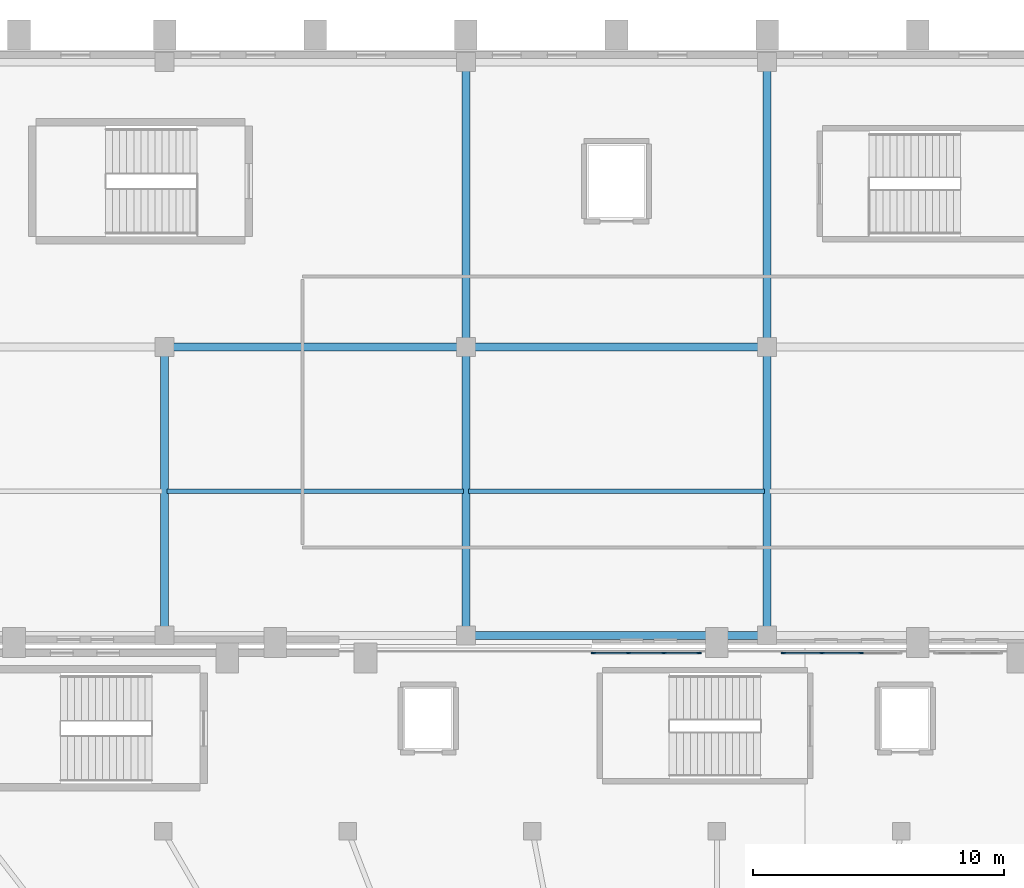
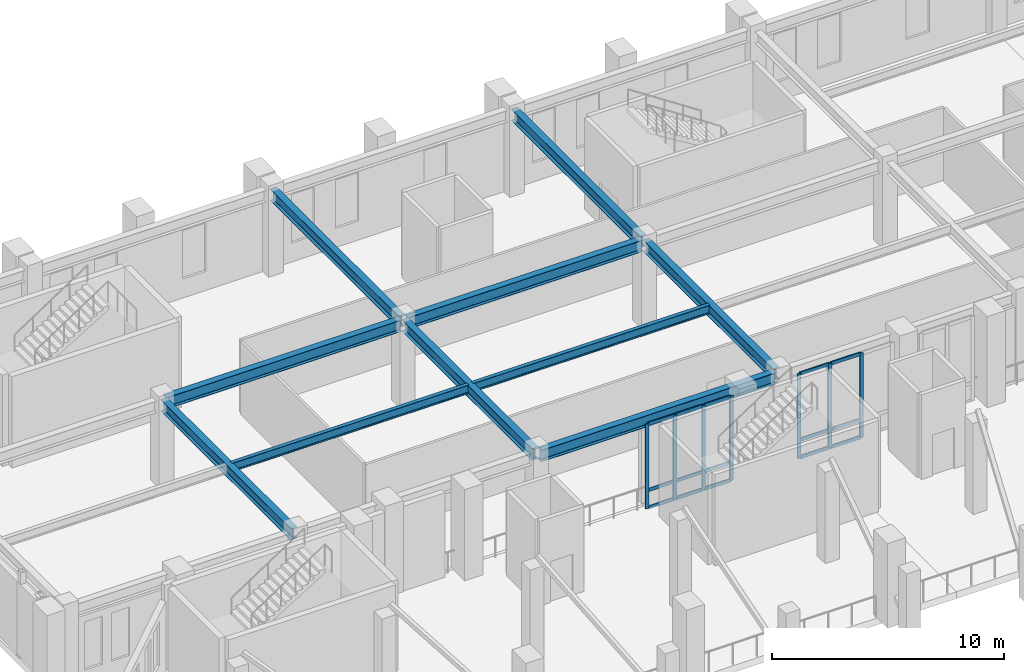
# One storey, part 33 of 126: 22 members, 10 beams, 2 elements without a shape of their own.
"""IFC4 building model written with IfcOpenShell, lengths in metres."""

from ifc_helpers import new_model, si_unit, derived_unit, direction, frame, origin, origin_2d, place, context, subcontext, project, spatial, rectangle, i_section, extrude, material, layer, layer_set, material_profile, profile_set, type_object, element, aggregate, save


model = new_model("IFC4")

# Units and contexts
model_context = context("Model", 3, precision=1e-05, world=origin(), true_north=direction((0.0, 1.0)))
body_context = subcontext(model_context, "Body", "Model", "MODEL_VIEW")
ifc_project = project(units=[si_unit("LENGTHUNIT", "METRE"), si_unit("AREAUNIT", "SQUARE_METRE"), si_unit("VOLUMEUNIT", "CUBIC_METRE"), si_unit("PLANEANGLEUNIT", "RADIAN"), si_unit("MASSUNIT", "GRAM", prefix="KILO"), derived_unit("THERMALTRANSMITTANCEUNIT", [(si_unit("MASSUNIT", "GRAM", prefix="KILO"), 1), (si_unit("TIMEUNIT", "SECOND"), -3), (si_unit("THERMODYNAMICTEMPERATUREUNIT", "KELVIN"), -1)])], contexts=[model_context])

# Site, building, storey
site_placement = place(None, origin())
site = spatial("IfcSite", under=ifc_project, at=site_placement, CompositionType="ELEMENT")
building_placement = place(site_placement, origin())
building = spatial("IfcBuilding", under=site, at=building_placement, Name="Valcora Ridge Arena", CompositionType="ELEMENT")
storey_placement = place(building_placement, frame((0.0, 0.0, 11.39990234375)))
storey = spatial("IfcBuildingStorey", under=building, at=storey_placement, Name="L02", CompositionType="ELEMENT", Elevation=11.39990234375)

# Beams
ifc_material_1 = material(Name="Steel ASTM A572 Grade 50", Category="steel")
ifc_material_profile_1 = material_profile(ifc_material_1, i_section(OverallWidth=0.324951171875, OverallDepth=0.612060546875, WebThickness=0.0126953125, FlangeThickness=0.01904296875, FilletRadius=0.01806640625, at=origin_2d()), Name="W24X104")
ifc_profile_set_1 = profile_set([ifc_material_profile_1], Name="Steel ASTM A572 Grade 50")
beam_type_1 = type_object("IfcBeamType", Name="TY-BEAM-G-W24X104-X", PredefinedType="BEAM", material=ifc_profile_set_1)
for number, where, z_axis, x_axis, name in (
    (1, (48.139892578125, 108.699951171875, 4.14404296875), (1.0, 0.0, 0.0), (0.0, 1.0, 0.0), "G-W24X104-X BEM-G-W24X104-X-0068"),
    (2, (36.139892578125, 120.199951171875, 4.14404296875), (1.0, 0.0, 0.0), (0.0, 1.0, 0.0), "G-W24X104-X BEM-G-W24X104-X-0081"),
    (3, (48.139892578125, 120.199951171875, 4.14404296875), (1.0, 0.0, 0.0), (0.0, 1.0, 0.0), "G-W24X104-X BEM-G-W24X104-X-0082"),
):
    element("IfcBeam", number, at=place(storey_placement, frame(where, z_axis=z_axis, x_axis=x_axis)), inside=storey, type_object=beam_type_1, Name=name, PredefinedType="BEAM", context=body_context, shape_type="SweptSolid", body=[
        extrude(i_section(OverallWidth=0.324951171875, OverallDepth=0.612060546875, WebThickness=0.0126953125, FlangeThickness=0.01904296875, FilletRadius=0.01806640625, at=origin_2d()), origin(), (0.0, 0.0, 1.0), 11.72021484375),
    ])
ifc_material_profile_2 = material_profile(ifc_material_1, i_section(OverallWidth=0.324951171875, OverallDepth=0.612060546875, WebThickness=0.0126953125, FlangeThickness=0.01904296875, FilletRadius=0.01806640625, at=origin_2d()), Name="W24X104")
ifc_profile_set_2 = profile_set([ifc_material_profile_2], Name="Steel ASTM A572 Grade 50")
beam_type_2 = type_object("IfcBeamType", Name="TY-BEAM-G-W24X104-Y", PredefinedType="BEAM", material=ifc_profile_set_2)
for number, where, z_axis, x_axis, name in (
    (4, (36.0, 108.840087890625, 4.14404296875), (0.0, 1.0, 0.0), (-1.0, 0.0, 0.0), "G-W24X104-Y BEM-G-W24X104-Y-0075"),
    (5, (48.0, 108.840087890625, 4.14404296875), (0.0, 1.0, 0.0), (-1.0, 0.0, 0.0), "G-W24X104-Y BEM-G-W24X104-Y-0076"),
):
    element("IfcBeam", number, at=place(storey_placement, frame(where, z_axis=z_axis, x_axis=x_axis)), inside=storey, type_object=beam_type_2, Name=name, PredefinedType="BEAM", context=body_context, shape_type="SweptSolid", body=[
        extrude(i_section(OverallWidth=0.324951171875, OverallDepth=0.612060546875, WebThickness=0.0126953125, FlangeThickness=0.01904296875, FilletRadius=0.01806640625, at=origin_2d()), origin(), (0.0, 0.0, 1.0), 11.219970703125),
    ])
beam_1_placement = place(storey_placement, frame((48.0, 120.340087890625, 4.14404296875), z_axis=(0.0, 1.0, 0.0), x_axis=(-1.0, 0.0, 0.0)))
element("IfcBeam", 6, at=beam_1_placement, inside=storey, type_object=beam_type_2, Name="G-W24X104-Y BEM-G-W24X104-Y-0077", PredefinedType="BEAM", context=body_context, shape_type="SweptSolid", body=[
    extrude(i_section(OverallWidth=0.324951171875, OverallDepth=0.612060546875, WebThickness=0.0126953125, FlangeThickness=0.01904296875, FilletRadius=0.01806640625, at=origin_2d()), origin(), (0.0, 0.0, 1.0), 11.06982421875),
])
beam_2_placement = place(storey_placement, frame((60.0, 108.840087890625, 4.14404296875), z_axis=(0.0, 1.0, 0.0), x_axis=(-1.0, 0.0, 0.0)))
element("IfcBeam", 7, at=beam_2_placement, inside=storey, type_object=beam_type_2, Name="G-W24X104-Y BEM-G-W24X104-Y-0078", PredefinedType="BEAM", context=body_context, shape_type="SweptSolid", body=[
    extrude(i_section(OverallWidth=0.324951171875, OverallDepth=0.612060546875, WebThickness=0.0126953125, FlangeThickness=0.01904296875, FilletRadius=0.01806640625, at=origin_2d()), origin(), (0.0, 0.0, 1.0), 11.219970703125),
])
beam_3_placement = place(storey_placement, frame((60.0, 120.340087890625, 4.14404296875), z_axis=(0.0, 1.0, 0.0), x_axis=(-1.0, 0.0, 0.0)))
element("IfcBeam", 8, at=beam_3_placement, inside=storey, type_object=beam_type_2, Name="G-W24X104-Y BEM-G-W24X104-Y-0079", PredefinedType="BEAM", context=body_context, shape_type="SweptSolid", body=[
    extrude(i_section(OverallWidth=0.324951171875, OverallDepth=0.612060546875, WebThickness=0.0126953125, FlangeThickness=0.01904296875, FilletRadius=0.01806640625, at=origin_2d()), origin(), (0.0, 0.0, 1.0), 11.06982421875),
])
ifc_material_profile_3 = material_profile(ifc_material_1, i_section(OverallWidth=0.18994140625, OverallDepth=0.45703125, WebThickness=0.009033203125, FlangeThickness=0.014404296875, FilletRadius=0.014892578125, at=origin_2d()), Name="W18X50")
ifc_profile_set_3 = profile_set([ifc_material_profile_3], Name="Steel ASTM A572 Grade 50")
beam_type_3 = type_object("IfcBeamType", Name="TY-BEAM-J-W18X50", PredefinedType="JOIST", material=ifc_profile_set_3)
for number, where, z_axis, x_axis, name in (
    (9, (36.10009765625, 114.449951171875, 4.2216796875), (1.0, 0.0, 0.0), (0.0, 1.0, 0.0), "J-W18X50 BEM-J-W18X50-0054"),
    (10, (48.10009765625, 114.449951171875, 4.2216796875), (1.0, 0.0, 0.0), (0.0, 1.0, 0.0), "J-W18X50 BEM-J-W18X50-0055"),
):
    element("IfcBeam", number, at=place(storey_placement, frame(where, z_axis=z_axis, x_axis=x_axis)), inside=storey, type_object=beam_type_3, Name=name, PredefinedType="JOIST", context=body_context, shape_type="SweptSolid", body=[
        extrude(i_section(OverallWidth=0.18994140625, OverallDepth=0.45703125, WebThickness=0.009033203125, FlangeThickness=0.014404296875, FilletRadius=0.014892578125, at=origin_2d()), origin(), (0.0, 0.0, 1.0), 11.7998046875),
    ])

# Curtain wall, members
ifc_material_2 = material(Name="Anodised dark bronze architectural aluminium 6063-T6", Category="aluminium")
ifc_layer_1 = layer(ifc_material_2, 0.179931640625, Name="Anodised dark bronze architectural aluminium 6063-T6")
ifc_layer_set_1 = layer_set([ifc_layer_1], Name="Anodised dark bronze architectural aluminium 6063-T6")
curtain_wall_type_1 = type_object("IfcCurtainWallType", Name="TY-CURTAINWALL-CW-V1-GOTH-043X44", PredefinedType="NOTDEFINED", material=ifc_layer_set_1)
curtain_wall_1_placement = place(storey_placement, origin())
curtain_wall_1 = element("IfcCurtainWall", 11, at=curtain_wall_1_placement, inside=storey, type_object=curtain_wall_type_1, Name="CW-V1-GOTH-043X44 CW-0124", PredefinedType="NOTDEFINED")
ifc_material_profile_4 = material_profile(ifc_material_2, rectangle(XDim=0.06005859375, YDim=0.179931640625, at=origin_2d()), Name="ALU MULLION 60x180")
ifc_profile_set_4 = profile_set([ifc_material_profile_4], Name="Anodised dark bronze architectural aluminium 6063-T6")
member_type_1 = type_object("IfcMemberType", Name="TY-MEM-CWM-60x180", PredefinedType="MULLION", material=ifc_profile_set_4)
member_1_placement = place(storey_placement, frame((53.080078125, 108.0, 0.0), z_axis=(0.0, 0.0, 1.0), x_axis=(0.0, 1.0, 0.0)))
member_1 = element("IfcMember", 12, at=member_1_placement, type_object=member_type_1, Name="CW-0124/CWM-60x180/M00", PredefinedType="MULLION", context=body_context, shape_type="SweptSolid", body=[
    extrude(rectangle(XDim=0.06005859375, YDim=0.179931640625, at=origin_2d()), origin(), (0.0, 0.0, 1.0), 4.4501953125),
])
member_2_placement = place(storey_placement, frame((54.469970703125, 108.0, 0.0), z_axis=(0.0, 0.0, 1.0), x_axis=(0.0, 1.0, 0.0)))
member_2 = element("IfcMember", 13, at=member_2_placement, type_object=member_type_1, Name="CW-0124/CWM-60x180/M01", PredefinedType="MULLION", context=body_context, shape_type="SweptSolid", body=[
    extrude(rectangle(XDim=0.06005859375, YDim=0.179931640625, at=origin_2d()), origin(), (0.0, 0.0, 1.0), 4.4501953125),
])
member_3_placement = place(storey_placement, frame((55.889892578125, 108.0, 0.0), z_axis=(0.0, 0.0, 1.0), x_axis=(0.0, 1.0, 0.0)))
member_3 = element("IfcMember", 14, at=member_3_placement, type_object=member_type_1, Name="CW-0124/CWM-60x180/M02", PredefinedType="MULLION", context=body_context, shape_type="SweptSolid", body=[
    extrude(rectangle(XDim=0.06005859375, YDim=0.179931640625, at=origin_2d()), origin(), (0.0, 0.0, 1.0), 4.4501953125),
])
member_4_placement = place(storey_placement, frame((57.280029296875, 108.0, 0.0), z_axis=(0.0, 0.0, 1.0), x_axis=(0.0, 1.0, 0.0)))
member_4 = element("IfcMember", 15, at=member_4_placement, type_object=member_type_1, Name="CW-0124/CWM-60x180/M03", PredefinedType="MULLION", context=body_context, shape_type="SweptSolid", body=[
    extrude(rectangle(XDim=0.06005859375, YDim=0.179931640625, at=origin_2d()), origin(), (0.0, 0.0, 1.0), 4.4501953125),
])

ifc_layer_2 = layer(ifc_material_2, 0.179931640625, Name="Anodised dark bronze architectural aluminium 6063-T6")
ifc_layer_set_2 = layer_set([ifc_layer_2], Name="Anodised dark bronze architectural aluminium 6063-T6")
curtain_wall_type_2 = type_object("IfcCurtainWallType", Name="TY-CURTAINWALL-CW-V1-GOTH-047X44", PredefinedType="NOTDEFINED", material=ifc_layer_set_2)
curtain_wall_2_placement = place(storey_placement, origin())
curtain_wall_2 = element("IfcCurtainWall", 16, at=curtain_wall_2_placement, inside=storey, type_object=curtain_wall_type_2, Name="CW-V1-GOTH-047X44 CW-0125", PredefinedType="NOTDEFINED")
member_5_placement = place(storey_placement, frame((60.64501953125, 108.0, 0.0), z_axis=(0.0, 0.0, 1.0), x_axis=(0.0, 1.0, 0.0)))
member_5 = element("IfcMember", 17, at=member_5_placement, type_object=member_type_1, Name="CW-0125/CWM-60x180/M00", PredefinedType="MULLION", context=body_context, shape_type="SweptSolid", body=[
    extrude(rectangle(XDim=0.06005859375, YDim=0.179931640625, at=origin_2d()), origin(), (0.0, 0.0, 1.0), 4.4501953125),
])
member_6_placement = place(storey_placement, frame((62.179931640625, 108.0, 0.0), z_axis=(0.0, 0.0, 1.0), x_axis=(0.0, 1.0, 0.0)))
member_6 = element("IfcMember", 18, at=member_6_placement, type_object=member_type_1, Name="CW-0125/CWM-60x180/M01", PredefinedType="MULLION", context=body_context, shape_type="SweptSolid", body=[
    extrude(rectangle(XDim=0.06005859375, YDim=0.179931640625, at=origin_2d()), origin(), (0.0, 0.0, 1.0), 4.4501953125),
])
member_7_placement = place(storey_placement, frame((63.7451171875, 108.0, 0.0), z_axis=(0.0, 0.0, 1.0), x_axis=(0.0, 1.0, 0.0)))
member_7 = element("IfcMember", 19, at=member_7_placement, type_object=member_type_1, Name="CW-0125/CWM-60x180/M02", PredefinedType="MULLION", context=body_context, shape_type="SweptSolid", body=[
    extrude(rectangle(XDim=0.06005859375, YDim=0.179931640625, at=origin_2d()), origin(), (0.0, 0.0, 1.0), 4.4501953125),
])

# Member
ifc_material_profile_5 = material_profile(ifc_material_2, rectangle(XDim=0.06005859375, YDim=0.179931640625, at=origin_2d()), Name="ALU TRANSOM 60x180")
ifc_profile_set_5 = profile_set([ifc_material_profile_5], Name="Anodised dark bronze architectural aluminium 6063-T6")
member_type_2 = type_object("IfcMemberType", Name="TY-MEM-CWT-60x180", PredefinedType="USERDEFINED", material=ifc_profile_set_5)
member_8_placement = place(storey_placement, frame((53.110107421875, 108.0, 0.030029296875), z_axis=(1.0, 0.0, 0.0), x_axis=(0.0, 1.0, 0.0)))
member_8 = element("IfcMember", 20, at=member_8_placement, type_object=member_type_2, Name="CW-0124/CWT-60x180/T00-00", ObjectType="TRANSOM", PredefinedType="USERDEFINED", context=body_context, shape_type="SweptSolid", body=[
    extrude(rectangle(XDim=0.06005859375, YDim=0.179931640625, at=origin_2d()), origin(), (0.0, 0.0, 1.0), 1.329833984375),
])

member_9_placement = place(storey_placement, frame((53.110107421875, 108.0, 0.9501953125), z_axis=(1.0, 0.0, 0.0), x_axis=(0.0, 1.0, 0.0)))
member_9 = element("IfcMember", 21, at=member_9_placement, type_object=member_type_2, Name="CW-0124/CWT-60x180/T00-01", ObjectType="TRANSOM", PredefinedType="USERDEFINED", context=body_context, shape_type="SweptSolid", body=[
    extrude(rectangle(XDim=0.06005859375, YDim=0.179931640625, at=origin_2d()), origin(), (0.0, 0.0, 1.0), 1.329833984375),
])

member_10_placement = place(storey_placement, frame((53.110107421875, 108.0, 4.420166015625), z_axis=(1.0, 0.0, 0.0), x_axis=(0.0, 1.0, 0.0)))
member_10 = element("IfcMember", 22, at=member_10_placement, type_object=member_type_2, Name="CW-0124/CWT-60x180/T00-02", ObjectType="TRANSOM", PredefinedType="USERDEFINED", context=body_context, shape_type="SweptSolid", body=[
    extrude(rectangle(XDim=0.06005859375, YDim=0.179931640625, at=origin_2d()), origin(), (0.0, 0.0, 1.0), 1.329833984375),
])

member_11_placement = place(storey_placement, frame((54.5, 108.0, 0.030029296875), z_axis=(1.0, 0.0, 0.0), x_axis=(0.0, 1.0, 0.0)))
member_11 = element("IfcMember", 23, at=member_11_placement, type_object=member_type_2, Name="CW-0124/CWT-60x180/T01-00", ObjectType="TRANSOM", PredefinedType="USERDEFINED", context=body_context, shape_type="SweptSolid", body=[
    extrude(rectangle(XDim=0.06005859375, YDim=0.179931640625, at=origin_2d()), origin(), (0.0, 0.0, 1.0), 1.360107421875),
])

member_12_placement = place(storey_placement, frame((54.5, 108.0, 0.9501953125), z_axis=(1.0, 0.0, 0.0), x_axis=(0.0, 1.0, 0.0)))
member_12 = element("IfcMember", 24, at=member_12_placement, type_object=member_type_2, Name="CW-0124/CWT-60x180/T01-01", ObjectType="TRANSOM", PredefinedType="USERDEFINED", context=body_context, shape_type="SweptSolid", body=[
    extrude(rectangle(XDim=0.06005859375, YDim=0.179931640625, at=origin_2d()), origin(), (0.0, 0.0, 1.0), 1.360107421875),
])

member_13_placement = place(storey_placement, frame((54.5, 108.0, 4.420166015625), z_axis=(1.0, 0.0, 0.0), x_axis=(0.0, 1.0, 0.0)))
member_13 = element("IfcMember", 25, at=member_13_placement, type_object=member_type_2, Name="CW-0124/CWT-60x180/T01-02", ObjectType="TRANSOM", PredefinedType="USERDEFINED", context=body_context, shape_type="SweptSolid", body=[
    extrude(rectangle(XDim=0.06005859375, YDim=0.179931640625, at=origin_2d()), origin(), (0.0, 0.0, 1.0), 1.360107421875),
])

member_14_placement = place(storey_placement, frame((55.919921875, 108.0, 0.030029296875), z_axis=(1.0, 0.0, 0.0), x_axis=(0.0, 1.0, 0.0)))
member_14 = element("IfcMember", 26, at=member_14_placement, type_object=member_type_2, Name="CW-0124/CWT-60x180/T02-00", ObjectType="TRANSOM", PredefinedType="USERDEFINED", context=body_context, shape_type="SweptSolid", body=[
    extrude(rectangle(XDim=0.06005859375, YDim=0.179931640625, at=origin_2d()), origin(), (0.0, 0.0, 1.0), 1.330078125),
])

member_15_placement = place(storey_placement, frame((55.919921875, 108.0, 0.9501953125), z_axis=(1.0, 0.0, 0.0), x_axis=(0.0, 1.0, 0.0)))
member_15 = element("IfcMember", 27, at=member_15_placement, type_object=member_type_2, Name="CW-0124/CWT-60x180/T02-01", ObjectType="TRANSOM", PredefinedType="USERDEFINED", context=body_context, shape_type="SweptSolid", body=[
    extrude(rectangle(XDim=0.06005859375, YDim=0.179931640625, at=origin_2d()), origin(), (0.0, 0.0, 1.0), 1.330078125),
])

member_16_placement = place(storey_placement, frame((55.919921875, 108.0, 4.420166015625), z_axis=(1.0, 0.0, 0.0), x_axis=(0.0, 1.0, 0.0)))
member_16 = element("IfcMember", 28, at=member_16_placement, type_object=member_type_2, Name="CW-0124/CWT-60x180/T02-02", ObjectType="TRANSOM", PredefinedType="USERDEFINED", context=body_context, shape_type="SweptSolid", body=[
    extrude(rectangle(XDim=0.06005859375, YDim=0.179931640625, at=origin_2d()), origin(), (0.0, 0.0, 1.0), 1.330078125),
])

aggregate(curtain_wall_1, [member_1, member_2, member_3, member_4, member_8, member_9, member_10, member_11, member_12, member_13, member_14, member_15, member_16])

member_17_placement = place(storey_placement, frame((60.675048828125, 108.0, 0.030029296875), z_axis=(1.0, 0.0, 0.0), x_axis=(0.0, 1.0, 0.0)))
member_17 = element("IfcMember", 29, at=member_17_placement, type_object=member_type_2, Name="CW-0125/CWT-60x180/T00-00", ObjectType="TRANSOM", PredefinedType="USERDEFINED", context=body_context, shape_type="SweptSolid", body=[
    extrude(rectangle(XDim=0.06005859375, YDim=0.179931640625, at=origin_2d()), origin(), (0.0, 0.0, 1.0), 1.474853515625),
])

member_18_placement = place(storey_placement, frame((60.675048828125, 108.0, 0.9501953125), z_axis=(1.0, 0.0, 0.0), x_axis=(0.0, 1.0, 0.0)))
member_18 = element("IfcMember", 30, at=member_18_placement, type_object=member_type_2, Name="CW-0125/CWT-60x180/T00-01", ObjectType="TRANSOM", PredefinedType="USERDEFINED", context=body_context, shape_type="SweptSolid", body=[
    extrude(rectangle(XDim=0.06005859375, YDim=0.179931640625, at=origin_2d()), origin(), (0.0, 0.0, 1.0), 1.474853515625),
])

member_19_placement = place(storey_placement, frame((60.675048828125, 108.0, 4.420166015625), z_axis=(1.0, 0.0, 0.0), x_axis=(0.0, 1.0, 0.0)))
member_19 = element("IfcMember", 31, at=member_19_placement, type_object=member_type_2, Name="CW-0125/CWT-60x180/T00-02", ObjectType="TRANSOM", PredefinedType="USERDEFINED", context=body_context, shape_type="SweptSolid", body=[
    extrude(rectangle(XDim=0.06005859375, YDim=0.179931640625, at=origin_2d()), origin(), (0.0, 0.0, 1.0), 1.474853515625),
])

member_20_placement = place(storey_placement, frame((62.2099609375, 108.0, 0.030029296875), z_axis=(1.0, 0.0, 0.0), x_axis=(0.0, 1.0, 0.0)))
member_20 = element("IfcMember", 32, at=member_20_placement, type_object=member_type_2, Name="CW-0125/CWT-60x180/T01-00", ObjectType="TRANSOM", PredefinedType="USERDEFINED", context=body_context, shape_type="SweptSolid", body=[
    extrude(rectangle(XDim=0.06005859375, YDim=0.179931640625, at=origin_2d()), origin(), (0.0, 0.0, 1.0), 1.505126953125),
])

member_21_placement = place(storey_placement, frame((62.2099609375, 108.0, 0.9501953125), z_axis=(1.0, 0.0, 0.0), x_axis=(0.0, 1.0, 0.0)))
member_21 = element("IfcMember", 33, at=member_21_placement, type_object=member_type_2, Name="CW-0125/CWT-60x180/T01-01", ObjectType="TRANSOM", PredefinedType="USERDEFINED", context=body_context, shape_type="SweptSolid", body=[
    extrude(rectangle(XDim=0.06005859375, YDim=0.179931640625, at=origin_2d()), origin(), (0.0, 0.0, 1.0), 1.505126953125),
])

member_22_placement = place(storey_placement, frame((62.2099609375, 108.0, 4.420166015625), z_axis=(1.0, 0.0, 0.0), x_axis=(0.0, 1.0, 0.0)))
member_22 = element("IfcMember", 34, at=member_22_placement, type_object=member_type_2, Name="CW-0125/CWT-60x180/T01-02", ObjectType="TRANSOM", PredefinedType="USERDEFINED", context=body_context, shape_type="SweptSolid", body=[
    extrude(rectangle(XDim=0.06005859375, YDim=0.179931640625, at=origin_2d()), origin(), (0.0, 0.0, 1.0), 1.505126953125),
])

aggregate(curtain_wall_2, [member_5, member_6, member_7, member_17, member_18, member_19, member_20, member_21, member_22])

save(model, "model.ifc")
